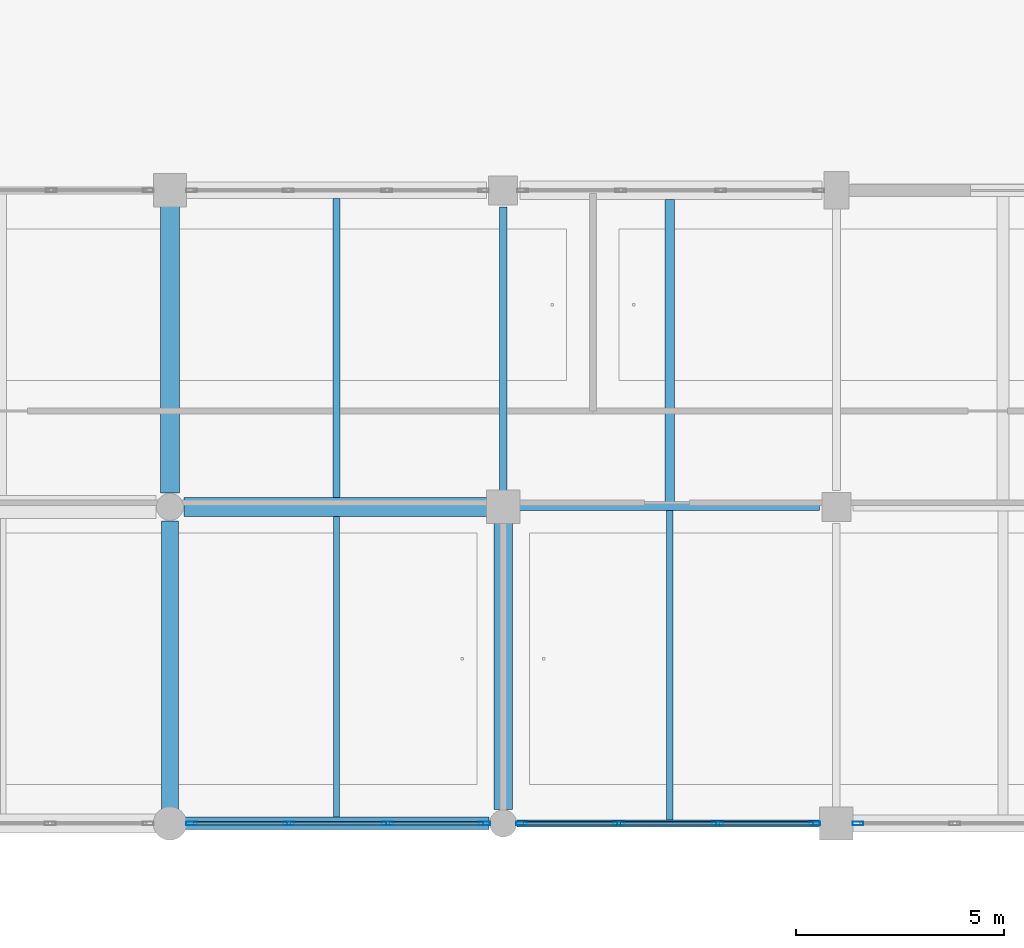
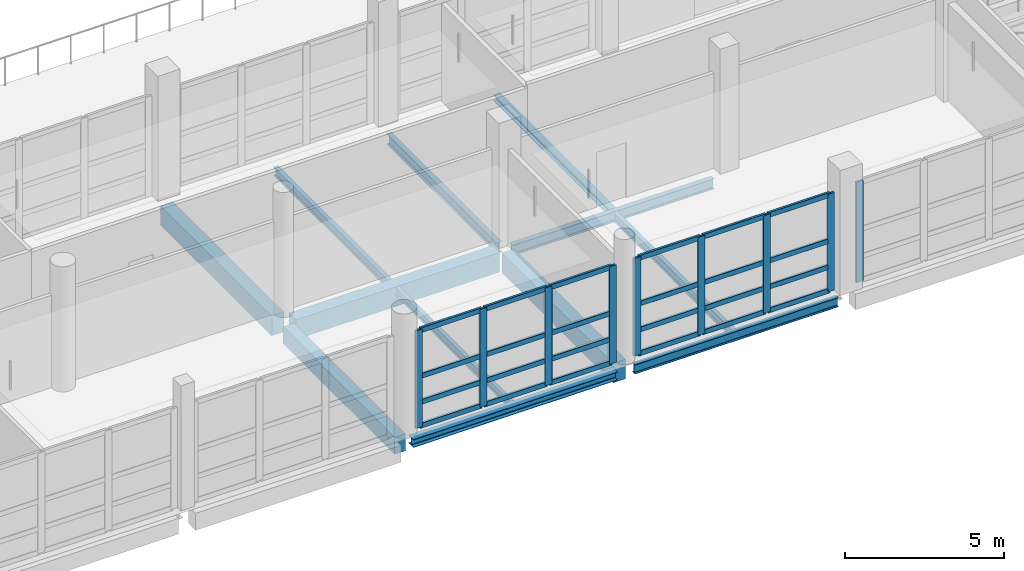
# One storey, part 29 of 147: 33 members, 12 beams, 3 elements without a shape of their own.
"""IFC4 building model written with IfcOpenShell, lengths in metres."""

from ifc_helpers import new_model, si_unit, direction, frame, origin, origin_2d, place, context, subcontext, project, spatial, rectangle, hollow_rectangle, i_section, extrude, material, material_profile, profile_set, type_object, element, aggregate, save


model = new_model("IFC4")

# Units and contexts
model_context = context("Model", 3, precision=1e-05, world=origin(), true_north=direction((0.0, 1.0)))
body_context = subcontext(model_context, "Body", "Model", "MODEL_VIEW")
ifc_project = project(units=[si_unit("LENGTHUNIT", "METRE"), si_unit("AREAUNIT", "SQUARE_METRE"), si_unit("VOLUMEUNIT", "CUBIC_METRE"), si_unit("PLANEANGLEUNIT", "RADIAN"), si_unit("MASSUNIT", "GRAM", prefix="KILO")], contexts=[model_context])

# Site, building, storey
site_placement = place(None, origin())
site = spatial("IfcSite", under=ifc_project, at=site_placement, CompositionType="ELEMENT")
building_placement = place(site_placement, origin())
building = spatial("IfcBuilding", under=site, at=building_placement, Name="Khelvaren Railside Concert Hall", CompositionType="ELEMENT")
storey_placement = place(building_placement, frame((0.0, 0.0, 5.39990234375)))
storey = spatial("IfcBuildingStorey", under=building, at=storey_placement, Name="L01", CompositionType="ELEMENT", Elevation=5.39990234375)

# Beams
ifc_material_1 = material(Name="Steel S355", Category="steel")
ifc_material_profile_1 = material_profile(ifc_material_1, i_section(OverallWidth=0.179931640625, OverallDepth=0.39990234375, WebThickness=0.008544921875, FlangeThickness=0.013427734375, FilletRadius=0.02099609375, at=origin_2d()), Name="IPE 400")
ifc_profile_set_1 = profile_set([ifc_material_profile_1], Name="Steel S355")
beam_type_1 = type_object("IfcBeamType", Name="BM29", PredefinedType="BEAM", material=ifc_profile_set_1)
beam_1_placement = place(storey_placement, frame((104.27294921875, 7.60009765625, -0.5), z_axis=(1.0, 0.0, 0.0), x_axis=(0.0, 1.0, 0.0)))
element("IfcBeam", 1, at=beam_1_placement, inside=storey, type_object=beam_type_1, Name="V3 L01 Beam X2.6", PredefinedType="BEAM", context=body_context, shape_type="SweptSolid", body=[
    extrude(i_section(OverallWidth=0.179931640625, OverallDepth=0.39990234375, WebThickness=0.008544921875, FlangeThickness=0.013427734375, FilletRadius=0.02099609375, at=origin_2d()), origin(), (0.0, 0.0, 1.0), 7.3271484375),
])
beam_2_placement = place(storey_placement, frame((104.0, 7.873046875, -0.5), z_axis=(0.0, 1.0, 0.0), x_axis=(-1.0, 0.0, 0.0)))
element("IfcBeam", 2, at=beam_2_placement, inside=storey, type_object=beam_type_1, Name="V3 L01 Beam Y6.2", PredefinedType="BEAM", context=body_context, shape_type="SweptSolid", body=[
    extrude(i_section(OverallWidth=0.179931640625, OverallDepth=0.39990234375, WebThickness=0.008544921875, FlangeThickness=0.013427734375, FilletRadius=0.02099609375, at=origin_2d()), origin(), (0.0, 0.0, 1.0), 6.927001953125),
])
ifc_material_2 = material(Name="Concrete C40/50", Category="concrete")
ifc_material_profile_2 = material_profile(ifc_material_2, rectangle(XDim=0.39990234375, YDim=0.64990234375, at=origin_2d()), Name="RCB 400x650")
ifc_profile_set_2 = profile_set([ifc_material_profile_2], Name="Concrete C40/50")
beam_type_2 = type_object("IfcBeamType", Name="BM33", PredefinedType="BEAM", material=ifc_profile_set_2)
beam_3_placement = place(storey_placement, frame((96.0, 0.25, -0.625), z_axis=(0.0, 1.0, 0.0), x_axis=(-1.0, 0.0, 0.0)))
element("IfcBeam", 3, at=beam_3_placement, inside=storey, type_object=beam_type_2, Name="V3 L01 Beam Y5.1", PredefinedType="BEAM", context=body_context, shape_type="SweptSolid", body=[
    extrude(rectangle(XDim=0.39990234375, YDim=0.64990234375, at=origin_2d()), origin(), (0.0, 0.0, 1.0), 7.013916015625),
])
ifc_material_profile_3 = material_profile(ifc_material_2, rectangle(XDim=0.449951171875, YDim=0.75, at=origin_2d()), Name="RCB 450x750")
ifc_profile_set_3 = profile_set([ifc_material_profile_3], Name="Concrete C40/50")
beam_type_3 = type_object("IfcBeamType", Name="BM83", PredefinedType="BEAM", material=ifc_profile_set_3)
beam_4_placement = place(storey_placement, frame((96.3359375, 7.60009765625, -0.6748046875), z_axis=(1.0, 0.0, 0.0), x_axis=(0.0, 1.0, 0.0)))
element("IfcBeam", 4, at=beam_4_placement, inside=storey, type_object=beam_type_3, Name="V3 L01 Beam X2.5", PredefinedType="BEAM", context=body_context, shape_type="SweptSolid", body=[
    extrude(rectangle(XDim=0.449951171875, YDim=0.75, at=origin_2d()), origin(), (0.0, 0.0, 1.0), 7.39111328125),
])
for number, where, z_axis, x_axis, name in (
    (5, (96.0, 7.93603515625, -0.6748046875), (0.0, 1.0, 0.0), (-1.0, 0.0, 0.0), "V3 L01 Beam Y5.2"),
    (6, (104.0, 0.3359375, -0.6748046875), (0.0, 1.0, 0.0), (-1.0, 0.0, 0.0), "V3 L01 Beam Y6.1"),
):
    element("IfcBeam", number, at=place(storey_placement, frame(where, z_axis=z_axis, x_axis=x_axis)), inside=storey, type_object=beam_type_3, Name=name, PredefinedType="BEAM", context=body_context, shape_type="SweptSolid", body=[
        extrude(rectangle(XDim=0.449951171875, YDim=0.75, at=origin_2d()), origin(), (0.0, 0.0, 1.0), 6.990966796875),
    ])

# Curtain wall, members
ifc_material_3 = material(Name="Acoustic laminated crystal facade glass", Category="glass")
curtain_wall_type_1 = type_object("IfcCurtainWallType", Name="CW15", PredefinedType="USERDEFINED", material=ifc_material_3)
curtain_wall_1_placement = place(storey_placement, origin())
curtain_wall_1 = element("IfcCurtainWall", 7, at=curtain_wall_1_placement, inside=storey, type_object=curtain_wall_type_1, Name="Unitised Curtain Wall CW-V3-L01-S-96", ObjectType="UNITISED CURTAIN WALL", PredefinedType="USERDEFINED")
ifc_material_4 = material(Name="Anodised architectural aluminium 6063-T6", Category="aluminium")
ifc_material_profile_4 = material_profile(ifc_material_4, hollow_rectangle(XDim=0.0849609375, YDim=0.260009765625, WallThickness=0.0048828125, InnerFilletRadius=0.0029296875, OuterFilletRadius=0.0048828125, at=origin_2d()), Name="CWM 85x260x5")
ifc_profile_set_4 = profile_set([ifc_material_profile_4], Name="Anodised architectural aluminium 6063-T6")
member_type_1 = type_object("IfcMemberType", Name="CWM40", PredefinedType="MULLION", material=ifc_profile_set_4)
member_1_placement = place(storey_placement, frame((103.554931640625, 0.0, 0.0), z_axis=(0.0, 0.0, 1.0), x_axis=(0.0, -1.0, 0.0)))
member_1 = element("IfcMember", 8, at=member_1_placement, type_object=member_type_1, Name="CW15 mullion 1", PredefinedType="MULLION", context=body_context, shape_type="SweptSolid", body=[
    extrude(hollow_rectangle(XDim=0.0849609375, YDim=0.260009765625, WallThickness=0.0048828125, InnerFilletRadius=0.0029296875, OuterFilletRadius=0.0048828125, at=origin_2d()), origin(), (0.0, 0.0, 1.0), 3.75),
])
member_2_placement = place(storey_placement, frame((101.22412109375, 0.0, 0.0), z_axis=(0.0, 0.0, 1.0), x_axis=(0.0, -1.0, 0.0)))
member_2 = element("IfcMember", 9, at=member_2_placement, type_object=member_type_1, Name="CW15 mullion 2", PredefinedType="MULLION", context=body_context, shape_type="SweptSolid", body=[
    extrude(hollow_rectangle(XDim=0.0849609375, YDim=0.260009765625, WallThickness=0.0048828125, InnerFilletRadius=0.0029296875, OuterFilletRadius=0.0048828125, at=origin_2d()), origin(), (0.0, 0.0, 1.0), 3.75),
])
member_3_placement = place(storey_placement, frame((98.850830078125, 0.0, 0.0), z_axis=(0.0, 0.0, 1.0), x_axis=(0.0, -1.0, 0.0)))
member_3 = element("IfcMember", 10, at=member_3_placement, type_object=member_type_1, Name="CW15 mullion 3", PredefinedType="MULLION", context=body_context, shape_type="SweptSolid", body=[
    extrude(hollow_rectangle(XDim=0.0849609375, YDim=0.260009765625, WallThickness=0.0048828125, InnerFilletRadius=0.0029296875, OuterFilletRadius=0.0048828125, at=origin_2d()), origin(), (0.0, 0.0, 1.0), 3.75),
])
member_4_placement = place(storey_placement, frame((96.52001953125, 0.0, 0.0), z_axis=(0.0, 0.0, 1.0), x_axis=(0.0, -1.0, 0.0)))
member_4 = element("IfcMember", 11, at=member_4_placement, type_object=member_type_1, Name="CW15 mullion 4", PredefinedType="MULLION", context=body_context, shape_type="SweptSolid", body=[
    extrude(hollow_rectangle(XDim=0.0849609375, YDim=0.260009765625, WallThickness=0.0048828125, InnerFilletRadius=0.0029296875, OuterFilletRadius=0.0048828125, at=origin_2d()), origin(), (0.0, 0.0, 1.0), 3.75),
])

curtain_wall_type_2 = type_object("IfcCurtainWallType", Name="CW54", PredefinedType="USERDEFINED", material=ifc_material_3)
curtain_wall_2_placement = place(storey_placement, origin())
curtain_wall_2 = element("IfcCurtainWall", 12, at=curtain_wall_2_placement, inside=storey, type_object=curtain_wall_type_2, Name="Unitised Curtain Wall CW-V3-L01-S-104", ObjectType="UNITISED CURTAIN WALL", PredefinedType="USERDEFINED")
member_5_placement = place(storey_placement, frame((111.47998046875, 0.0, 0.0), z_axis=(0.0, 0.0, 1.0), x_axis=(0.0, -1.0, 0.0)))
member_5 = element("IfcMember", 13, at=member_5_placement, type_object=member_type_1, Name="CW54 mullion 1", PredefinedType="MULLION", context=body_context, shape_type="SweptSolid", body=[
    extrude(hollow_rectangle(XDim=0.0849609375, YDim=0.260009765625, WallThickness=0.0048828125, InnerFilletRadius=0.0029296875, OuterFilletRadius=0.0048828125, at=origin_2d()), origin(), (0.0, 0.0, 1.0), 3.75),
])
member_6_placement = place(storey_placement, frame((109.149169921875, 0.0, 0.0), z_axis=(0.0, 0.0, 1.0), x_axis=(0.0, -1.0, 0.0)))
member_6 = element("IfcMember", 14, at=member_6_placement, type_object=member_type_1, Name="CW54 mullion 2", PredefinedType="MULLION", context=body_context, shape_type="SweptSolid", body=[
    extrude(hollow_rectangle(XDim=0.0849609375, YDim=0.260009765625, WallThickness=0.0048828125, InnerFilletRadius=0.0029296875, OuterFilletRadius=0.0048828125, at=origin_2d()), origin(), (0.0, 0.0, 1.0), 3.75),
])
member_7_placement = place(storey_placement, frame((106.77587890625, 0.0, 0.0), z_axis=(0.0, 0.0, 1.0), x_axis=(0.0, -1.0, 0.0)))
member_7 = element("IfcMember", 15, at=member_7_placement, type_object=member_type_1, Name="CW54 mullion 3", PredefinedType="MULLION", context=body_context, shape_type="SweptSolid", body=[
    extrude(hollow_rectangle(XDim=0.0849609375, YDim=0.260009765625, WallThickness=0.0048828125, InnerFilletRadius=0.0029296875, OuterFilletRadius=0.0048828125, at=origin_2d()), origin(), (0.0, 0.0, 1.0), 3.75),
])
member_8_placement = place(storey_placement, frame((104.445068359375, 0.0, 0.0), z_axis=(0.0, 0.0, 1.0), x_axis=(0.0, -1.0, 0.0)))
member_8 = element("IfcMember", 16, at=member_8_placement, type_object=member_type_1, Name="CW54 mullion 4", PredefinedType="MULLION", context=body_context, shape_type="SweptSolid", body=[
    extrude(hollow_rectangle(XDim=0.0849609375, YDim=0.260009765625, WallThickness=0.0048828125, InnerFilletRadius=0.0029296875, OuterFilletRadius=0.0048828125, at=origin_2d()), origin(), (0.0, 0.0, 1.0), 3.75),
])

# Curtain wall, member
curtain_wall_type_3 = type_object("IfcCurtainWallType", Name="CW66", PredefinedType="USERDEFINED", material=ifc_material_3)
curtain_wall_3_placement = place(storey_placement, origin())
curtain_wall_3 = element("IfcCurtainWall", 17, at=curtain_wall_3_placement, inside=storey, type_object=curtain_wall_type_3, Name="Unitised Curtain Wall CW-V3-L01-S-112", ObjectType="UNITISED CURTAIN WALL", PredefinedType="USERDEFINED")
member_9_placement = place(storey_placement, frame((112.52001953125, 0.0, 0.0), z_axis=(0.0, 0.0, 1.0), x_axis=(0.0, -1.0, 0.0)))
member_9 = element("IfcMember", 18, at=member_9_placement, type_object=member_type_1, Name="CW66 mullion 4", PredefinedType="MULLION", context=body_context, shape_type="SweptSolid", body=[
    extrude(hollow_rectangle(XDim=0.0849609375, YDim=0.260009765625, WallThickness=0.0048828125, InnerFilletRadius=0.0029296875, OuterFilletRadius=0.0048828125, at=origin_2d()), origin(), (0.0, 0.0, 1.0), 3.85009765625),
])
aggregate(curtain_wall_3, [member_9])

# Member
ifc_material_profile_5 = material_profile(ifc_material_4, hollow_rectangle(XDim=0.0849609375, YDim=0.18994140625, WallThickness=0.0048828125, InnerFilletRadius=0.0029296875, OuterFilletRadius=0.0048828125, at=origin_2d()), Name="CWT 85x190x5")
ifc_profile_set_5 = profile_set([ifc_material_profile_5], Name="Anodised architectural aluminium 6063-T6")
member_type_2 = type_object("IfcMemberType", Name="CWT31", PredefinedType="USERDEFINED", material=ifc_profile_set_5)
member_10_placement = place(storey_placement, frame((103.512451171875, 0.0, 0.04248046875), z_axis=(-1.0, 0.0, 0.0), x_axis=(0.0, -1.0, 0.0)))
member_10 = element("IfcMember", 19, at=member_10_placement, type_object=member_type_2, Name="CW15 transom 1.1", ObjectType="TRANSOM", PredefinedType="USERDEFINED", context=body_context, shape_type="SweptSolid", body=[
    extrude(hollow_rectangle(XDim=0.0849609375, YDim=0.18994140625, WallThickness=0.0048828125, InnerFilletRadius=0.0029296875, OuterFilletRadius=0.0048828125, at=origin_2d()), origin(), (0.0, 0.0, 1.0), 2.245849609375),
])

member_11_placement = place(storey_placement, frame((103.512451171875, 0.0, 0.9501953125), z_axis=(-1.0, 0.0, 0.0), x_axis=(0.0, -1.0, 0.0)))
member_11 = element("IfcMember", 20, at=member_11_placement, type_object=member_type_2, Name="CW15 transom 1.2", ObjectType="TRANSOM", PredefinedType="USERDEFINED", context=body_context, shape_type="SweptSolid", body=[
    extrude(hollow_rectangle(XDim=0.0849609375, YDim=0.18994140625, WallThickness=0.0048828125, InnerFilletRadius=0.0029296875, OuterFilletRadius=0.0048828125, at=origin_2d()), origin(), (0.0, 0.0, 1.0), 2.245849609375),
])

member_12_placement = place(storey_placement, frame((103.512451171875, 0.0, 1.9501953125), z_axis=(-1.0, 0.0, 0.0), x_axis=(0.0, -1.0, 0.0)))
member_12 = element("IfcMember", 21, at=member_12_placement, type_object=member_type_2, Name="CW15 transom 1.3", ObjectType="TRANSOM", PredefinedType="USERDEFINED", context=body_context, shape_type="SweptSolid", body=[
    extrude(hollow_rectangle(XDim=0.0849609375, YDim=0.18994140625, WallThickness=0.0048828125, InnerFilletRadius=0.0029296875, OuterFilletRadius=0.0048828125, at=origin_2d()), origin(), (0.0, 0.0, 1.0), 2.245849609375),
])

member_13_placement = place(storey_placement, frame((103.512451171875, 0.0, 3.70751953125), z_axis=(-1.0, 0.0, 0.0), x_axis=(0.0, -1.0, 0.0)))
member_13 = element("IfcMember", 22, at=member_13_placement, type_object=member_type_2, Name="CW15 transom 1.4", ObjectType="TRANSOM", PredefinedType="USERDEFINED", context=body_context, shape_type="SweptSolid", body=[
    extrude(hollow_rectangle(XDim=0.0849609375, YDim=0.18994140625, WallThickness=0.0048828125, InnerFilletRadius=0.0029296875, OuterFilletRadius=0.0048828125, at=origin_2d()), origin(), (0.0, 0.0, 1.0), 2.245849609375),
])

member_14_placement = place(storey_placement, frame((101.181640625, 0.0, 0.04248046875), z_axis=(-1.0, 0.0, 0.0), x_axis=(0.0, -1.0, 0.0)))
member_14 = element("IfcMember", 23, at=member_14_placement, type_object=member_type_2, Name="CW15 transom 2.1", ObjectType="TRANSOM", PredefinedType="USERDEFINED", context=body_context, shape_type="SweptSolid", body=[
    extrude(hollow_rectangle(XDim=0.0849609375, YDim=0.18994140625, WallThickness=0.0048828125, InnerFilletRadius=0.0029296875, OuterFilletRadius=0.0048828125, at=origin_2d()), origin(), (0.0, 0.0, 1.0), 2.288330078125),
])

member_15_placement = place(storey_placement, frame((101.181640625, 0.0, 0.9501953125), z_axis=(-1.0, 0.0, 0.0), x_axis=(0.0, -1.0, 0.0)))
member_15 = element("IfcMember", 24, at=member_15_placement, type_object=member_type_2, Name="CW15 transom 2.2", ObjectType="TRANSOM", PredefinedType="USERDEFINED", context=body_context, shape_type="SweptSolid", body=[
    extrude(hollow_rectangle(XDim=0.0849609375, YDim=0.18994140625, WallThickness=0.0048828125, InnerFilletRadius=0.0029296875, OuterFilletRadius=0.0048828125, at=origin_2d()), origin(), (0.0, 0.0, 1.0), 2.288330078125),
])

member_16_placement = place(storey_placement, frame((101.181640625, 0.0, 1.9501953125), z_axis=(-1.0, 0.0, 0.0), x_axis=(0.0, -1.0, 0.0)))
member_16 = element("IfcMember", 25, at=member_16_placement, type_object=member_type_2, Name="CW15 transom 2.3", ObjectType="TRANSOM", PredefinedType="USERDEFINED", context=body_context, shape_type="SweptSolid", body=[
    extrude(hollow_rectangle(XDim=0.0849609375, YDim=0.18994140625, WallThickness=0.0048828125, InnerFilletRadius=0.0029296875, OuterFilletRadius=0.0048828125, at=origin_2d()), origin(), (0.0, 0.0, 1.0), 2.288330078125),
])

member_17_placement = place(storey_placement, frame((101.181640625, 0.0, 3.70751953125), z_axis=(-1.0, 0.0, 0.0), x_axis=(0.0, -1.0, 0.0)))
member_17 = element("IfcMember", 26, at=member_17_placement, type_object=member_type_2, Name="CW15 transom 2.4", ObjectType="TRANSOM", PredefinedType="USERDEFINED", context=body_context, shape_type="SweptSolid", body=[
    extrude(hollow_rectangle(XDim=0.0849609375, YDim=0.18994140625, WallThickness=0.0048828125, InnerFilletRadius=0.0029296875, OuterFilletRadius=0.0048828125, at=origin_2d()), origin(), (0.0, 0.0, 1.0), 2.288330078125),
])

member_18_placement = place(storey_placement, frame((98.808349609375, 0.0, 0.04248046875), z_axis=(-1.0, 0.0, 0.0), x_axis=(0.0, -1.0, 0.0)))
member_18 = element("IfcMember", 27, at=member_18_placement, type_object=member_type_2, Name="CW15 transom 3.1", ObjectType="TRANSOM", PredefinedType="USERDEFINED", context=body_context, shape_type="SweptSolid", body=[
    extrude(hollow_rectangle(XDim=0.0849609375, YDim=0.18994140625, WallThickness=0.0048828125, InnerFilletRadius=0.0029296875, OuterFilletRadius=0.0048828125, at=origin_2d()), origin(), (0.0, 0.0, 1.0), 2.245849609375),
])

member_19_placement = place(storey_placement, frame((98.808349609375, 0.0, 0.9501953125), z_axis=(-1.0, 0.0, 0.0), x_axis=(0.0, -1.0, 0.0)))
member_19 = element("IfcMember", 28, at=member_19_placement, type_object=member_type_2, Name="CW15 transom 3.2", ObjectType="TRANSOM", PredefinedType="USERDEFINED", context=body_context, shape_type="SweptSolid", body=[
    extrude(hollow_rectangle(XDim=0.0849609375, YDim=0.18994140625, WallThickness=0.0048828125, InnerFilletRadius=0.0029296875, OuterFilletRadius=0.0048828125, at=origin_2d()), origin(), (0.0, 0.0, 1.0), 2.245849609375),
])

member_20_placement = place(storey_placement, frame((98.808349609375, 0.0, 1.9501953125), z_axis=(-1.0, 0.0, 0.0), x_axis=(0.0, -1.0, 0.0)))
member_20 = element("IfcMember", 29, at=member_20_placement, type_object=member_type_2, Name="CW15 transom 3.3", ObjectType="TRANSOM", PredefinedType="USERDEFINED", context=body_context, shape_type="SweptSolid", body=[
    extrude(hollow_rectangle(XDim=0.0849609375, YDim=0.18994140625, WallThickness=0.0048828125, InnerFilletRadius=0.0029296875, OuterFilletRadius=0.0048828125, at=origin_2d()), origin(), (0.0, 0.0, 1.0), 2.245849609375),
])

member_21_placement = place(storey_placement, frame((98.808349609375, 0.0, 3.70751953125), z_axis=(-1.0, 0.0, 0.0), x_axis=(0.0, -1.0, 0.0)))
member_21 = element("IfcMember", 30, at=member_21_placement, type_object=member_type_2, Name="CW15 transom 3.4", ObjectType="TRANSOM", PredefinedType="USERDEFINED", context=body_context, shape_type="SweptSolid", body=[
    extrude(hollow_rectangle(XDim=0.0849609375, YDim=0.18994140625, WallThickness=0.0048828125, InnerFilletRadius=0.0029296875, OuterFilletRadius=0.0048828125, at=origin_2d()), origin(), (0.0, 0.0, 1.0), 2.245849609375),
])

aggregate(curtain_wall_1, [member_1, member_2, member_3, member_4, member_10, member_11, member_12, member_13, member_14, member_15, member_16, member_17, member_18, member_19, member_20, member_21])

member_22_placement = place(storey_placement, frame((111.4375, 0.0, 0.04248046875), z_axis=(-1.0, 0.0, 0.0), x_axis=(0.0, -1.0, 0.0)))
member_22 = element("IfcMember", 31, at=member_22_placement, type_object=member_type_2, Name="CW54 transom 1.1", ObjectType="TRANSOM", PredefinedType="USERDEFINED", context=body_context, shape_type="SweptSolid", body=[
    extrude(hollow_rectangle(XDim=0.0849609375, YDim=0.18994140625, WallThickness=0.0048828125, InnerFilletRadius=0.0029296875, OuterFilletRadius=0.0048828125, at=origin_2d()), origin(), (0.0, 0.0, 1.0), 2.245849609375),
])

member_23_placement = place(storey_placement, frame((111.4375, 0.0, 0.9501953125), z_axis=(-1.0, 0.0, 0.0), x_axis=(0.0, -1.0, 0.0)))
member_23 = element("IfcMember", 32, at=member_23_placement, type_object=member_type_2, Name="CW54 transom 1.2", ObjectType="TRANSOM", PredefinedType="USERDEFINED", context=body_context, shape_type="SweptSolid", body=[
    extrude(hollow_rectangle(XDim=0.0849609375, YDim=0.18994140625, WallThickness=0.0048828125, InnerFilletRadius=0.0029296875, OuterFilletRadius=0.0048828125, at=origin_2d()), origin(), (0.0, 0.0, 1.0), 2.245849609375),
])

member_24_placement = place(storey_placement, frame((111.4375, 0.0, 1.9501953125), z_axis=(-1.0, 0.0, 0.0), x_axis=(0.0, -1.0, 0.0)))
member_24 = element("IfcMember", 33, at=member_24_placement, type_object=member_type_2, Name="CW54 transom 1.3", ObjectType="TRANSOM", PredefinedType="USERDEFINED", context=body_context, shape_type="SweptSolid", body=[
    extrude(hollow_rectangle(XDim=0.0849609375, YDim=0.18994140625, WallThickness=0.0048828125, InnerFilletRadius=0.0029296875, OuterFilletRadius=0.0048828125, at=origin_2d()), origin(), (0.0, 0.0, 1.0), 2.245849609375),
])

member_25_placement = place(storey_placement, frame((111.4375, 0.0, 3.70751953125), z_axis=(-1.0, 0.0, 0.0), x_axis=(0.0, -1.0, 0.0)))
member_25 = element("IfcMember", 34, at=member_25_placement, type_object=member_type_2, Name="CW54 transom 1.4", ObjectType="TRANSOM", PredefinedType="USERDEFINED", context=body_context, shape_type="SweptSolid", body=[
    extrude(hollow_rectangle(XDim=0.0849609375, YDim=0.18994140625, WallThickness=0.0048828125, InnerFilletRadius=0.0029296875, OuterFilletRadius=0.0048828125, at=origin_2d()), origin(), (0.0, 0.0, 1.0), 2.245849609375),
])

member_26_placement = place(storey_placement, frame((109.106689453125, 0.0, 0.04248046875), z_axis=(-1.0, 0.0, 0.0), x_axis=(0.0, -1.0, 0.0)))
member_26 = element("IfcMember", 35, at=member_26_placement, type_object=member_type_2, Name="CW54 transom 2.1", ObjectType="TRANSOM", PredefinedType="USERDEFINED", context=body_context, shape_type="SweptSolid", body=[
    extrude(hollow_rectangle(XDim=0.0849609375, YDim=0.18994140625, WallThickness=0.0048828125, InnerFilletRadius=0.0029296875, OuterFilletRadius=0.0048828125, at=origin_2d()), origin(), (0.0, 0.0, 1.0), 2.288330078125),
])

member_27_placement = place(storey_placement, frame((109.106689453125, 0.0, 0.9501953125), z_axis=(-1.0, 0.0, 0.0), x_axis=(0.0, -1.0, 0.0)))
member_27 = element("IfcMember", 36, at=member_27_placement, type_object=member_type_2, Name="CW54 transom 2.2", ObjectType="TRANSOM", PredefinedType="USERDEFINED", context=body_context, shape_type="SweptSolid", body=[
    extrude(hollow_rectangle(XDim=0.0849609375, YDim=0.18994140625, WallThickness=0.0048828125, InnerFilletRadius=0.0029296875, OuterFilletRadius=0.0048828125, at=origin_2d()), origin(), (0.0, 0.0, 1.0), 2.288330078125),
])

member_28_placement = place(storey_placement, frame((109.106689453125, 0.0, 1.9501953125), z_axis=(-1.0, 0.0, 0.0), x_axis=(0.0, -1.0, 0.0)))
member_28 = element("IfcMember", 37, at=member_28_placement, type_object=member_type_2, Name="CW54 transom 2.3", ObjectType="TRANSOM", PredefinedType="USERDEFINED", context=body_context, shape_type="SweptSolid", body=[
    extrude(hollow_rectangle(XDim=0.0849609375, YDim=0.18994140625, WallThickness=0.0048828125, InnerFilletRadius=0.0029296875, OuterFilletRadius=0.0048828125, at=origin_2d()), origin(), (0.0, 0.0, 1.0), 2.288330078125),
])

member_29_placement = place(storey_placement, frame((109.106689453125, 0.0, 3.70751953125), z_axis=(-1.0, 0.0, 0.0), x_axis=(0.0, -1.0, 0.0)))
member_29 = element("IfcMember", 38, at=member_29_placement, type_object=member_type_2, Name="CW54 transom 2.4", ObjectType="TRANSOM", PredefinedType="USERDEFINED", context=body_context, shape_type="SweptSolid", body=[
    extrude(hollow_rectangle(XDim=0.0849609375, YDim=0.18994140625, WallThickness=0.0048828125, InnerFilletRadius=0.0029296875, OuterFilletRadius=0.0048828125, at=origin_2d()), origin(), (0.0, 0.0, 1.0), 2.288330078125),
])

member_30_placement = place(storey_placement, frame((106.7333984375, 0.0, 0.04248046875), z_axis=(-1.0, 0.0, 0.0), x_axis=(0.0, -1.0, 0.0)))
member_30 = element("IfcMember", 39, at=member_30_placement, type_object=member_type_2, Name="CW54 transom 3.1", ObjectType="TRANSOM", PredefinedType="USERDEFINED", context=body_context, shape_type="SweptSolid", body=[
    extrude(hollow_rectangle(XDim=0.0849609375, YDim=0.18994140625, WallThickness=0.0048828125, InnerFilletRadius=0.0029296875, OuterFilletRadius=0.0048828125, at=origin_2d()), origin(), (0.0, 0.0, 1.0), 2.245849609375),
])

member_31_placement = place(storey_placement, frame((106.7333984375, 0.0, 0.9501953125), z_axis=(-1.0, 0.0, 0.0), x_axis=(0.0, -1.0, 0.0)))
member_31 = element("IfcMember", 40, at=member_31_placement, type_object=member_type_2, Name="CW54 transom 3.2", ObjectType="TRANSOM", PredefinedType="USERDEFINED", context=body_context, shape_type="SweptSolid", body=[
    extrude(hollow_rectangle(XDim=0.0849609375, YDim=0.18994140625, WallThickness=0.0048828125, InnerFilletRadius=0.0029296875, OuterFilletRadius=0.0048828125, at=origin_2d()), origin(), (0.0, 0.0, 1.0), 2.245849609375),
])

member_32_placement = place(storey_placement, frame((106.7333984375, 0.0, 1.9501953125), z_axis=(-1.0, 0.0, 0.0), x_axis=(0.0, -1.0, 0.0)))
member_32 = element("IfcMember", 41, at=member_32_placement, type_object=member_type_2, Name="CW54 transom 3.3", ObjectType="TRANSOM", PredefinedType="USERDEFINED", context=body_context, shape_type="SweptSolid", body=[
    extrude(hollow_rectangle(XDim=0.0849609375, YDim=0.18994140625, WallThickness=0.0048828125, InnerFilletRadius=0.0029296875, OuterFilletRadius=0.0048828125, at=origin_2d()), origin(), (0.0, 0.0, 1.0), 2.245849609375),
])

member_33_placement = place(storey_placement, frame((106.7333984375, 0.0, 3.70751953125), z_axis=(-1.0, 0.0, 0.0), x_axis=(0.0, -1.0, 0.0)))
member_33 = element("IfcMember", 42, at=member_33_placement, type_object=member_type_2, Name="CW54 transom 3.4", ObjectType="TRANSOM", PredefinedType="USERDEFINED", context=body_context, shape_type="SweptSolid", body=[
    extrude(hollow_rectangle(XDim=0.0849609375, YDim=0.18994140625, WallThickness=0.0048828125, InnerFilletRadius=0.0029296875, OuterFilletRadius=0.0048828125, at=origin_2d()), origin(), (0.0, 0.0, 1.0), 2.245849609375),
])

aggregate(curtain_wall_2, [member_5, member_6, member_7, member_8, member_22, member_23, member_24, member_25, member_26, member_27, member_28, member_29, member_30, member_31, member_32, member_33])

# Beams
ifc_material_profile_6 = material_profile(ifc_material_1, i_section(OverallWidth=0.14990234375, OverallDepth=0.300048828125, WebThickness=0.007080078125, FlangeThickness=0.0107421875, FilletRadius=0.014892578125, at=origin_2d()), Name="IPE 300")
ifc_profile_set_6 = profile_set([ifc_material_profile_6], Name="Steel S355")
beam_type_4 = type_object("IfcBeamType", Name="JS26", PredefinedType="JOIST", material=ifc_profile_set_6)
beam_5_placement = place(storey_placement, frame((100.0, 0.14990234375, -0.449951171875), z_axis=(0.0, 1.0, 0.0), x_axis=(-1.0, 0.0, 0.0)))
element("IfcBeam", 43, at=beam_5_placement, inside=storey, type_object=beam_type_4, Name="V3 L01 Secondary Joist 5.1", PredefinedType="JOIST", context=body_context, shape_type="SweptSolid", body=[
    extrude(i_section(OverallWidth=0.14990234375, OverallDepth=0.300048828125, WebThickness=0.007080078125, FlangeThickness=0.0107421875, FilletRadius=0.014892578125, at=origin_2d()), origin(), (0.0, 0.0, 1.0), 7.22509765625),
])
ifc_material_profile_7 = material_profile(ifc_material_1, i_section(OverallWidth=0.159912109375, OverallDepth=0.330078125, WebThickness=0.007568359375, FlangeThickness=0.011474609375, FilletRadius=0.01806640625, at=origin_2d()), Name="IPE 330")
ifc_profile_set_7 = profile_set([ifc_material_profile_7], Name="Steel S355")
beam_type_5 = type_object("IfcBeamType", Name="JS65", PredefinedType="JOIST", material=ifc_profile_set_7)
beam_6_placement = place(storey_placement, frame((100.0, 7.824951171875, -0.46484375), z_axis=(0.0, 1.0, 0.0), x_axis=(-1.0, 0.0, 0.0)))
element("IfcBeam", 44, at=beam_6_placement, inside=storey, type_object=beam_type_5, Name="V3 L01 Secondary Joist 5.2", PredefinedType="JOIST", context=body_context, shape_type="SweptSolid", body=[
    extrude(i_section(OverallWidth=0.159912109375, OverallDepth=0.330078125, WebThickness=0.007568359375, FlangeThickness=0.011474609375, FilletRadius=0.01806640625, at=origin_2d()), origin(), (0.0, 0.0, 1.0), 7.175048828125),
])
beam_7_placement = place(storey_placement, frame((108.0, 0.0849609375, -0.46484375), z_axis=(0.0, 1.0, 0.0), x_axis=(-1.0, 0.0, 0.0)))
element("IfcBeam", 45, at=beam_7_placement, inside=storey, type_object=beam_type_5, Name="V3 L01 Secondary Joist 6.1", PredefinedType="JOIST", context=body_context, shape_type="SweptSolid", body=[
    extrude(i_section(OverallWidth=0.159912109375, OverallDepth=0.330078125, WebThickness=0.007568359375, FlangeThickness=0.011474609375, FilletRadius=0.01806640625, at=origin_2d()), origin(), (0.0, 0.0, 1.0), 7.425048828125),
])
ifc_material_profile_8 = material_profile(ifc_material_1, i_section(OverallWidth=0.239990234375, OverallDepth=0.22998046875, WebThickness=0.007568359375, FlangeThickness=0.011962890625, FilletRadius=0.02099609375, at=origin_2d()), Name="HEA 240")
ifc_profile_set_8 = profile_set([ifc_material_profile_8], Name="Steel S355")
beam_type_6 = type_object("IfcBeamType", Name="JS76", PredefinedType="JOIST", material=ifc_profile_set_8)
beam_8_placement = place(storey_placement, frame((108.0, 7.68994140625, -0.414794921875), z_axis=(0.0, 1.0, 0.0), x_axis=(-1.0, 0.0, 0.0)))
element("IfcBeam", 46, at=beam_8_placement, inside=storey, type_object=beam_type_6, Name="V3 L01 Secondary Joist 6.2", PredefinedType="JOIST", context=body_context, shape_type="SweptSolid", body=[
    extrude(i_section(OverallWidth=0.239990234375, OverallDepth=0.22998046875, WebThickness=0.007568359375, FlangeThickness=0.011962890625, FilletRadius=0.02099609375, at=origin_2d()), origin(), (0.0, 0.0, 1.0), 7.28515625),
])
ifc_material_profile_9 = material_profile(ifc_material_1, i_section(OverallWidth=0.300048828125, OverallDepth=0.31005859375, WebThickness=0.009033203125, FlangeThickness=0.015380859375, FilletRadius=0.027099609375, at=origin_2d()), Name="HEA 320")
ifc_profile_set_9 = profile_set([ifc_material_profile_9], Name="Steel S355")
beam_type_7 = type_object("IfcBeamType", Name="SP66", PredefinedType="SPANDREL", material=ifc_profile_set_9)
beam_9_placement = place(storey_placement, frame((96.25, 0.0, -0.454833984375), z_axis=(1.0, 0.0, 0.0), x_axis=(0.0, 1.0, 0.0)))
element("IfcBeam", 47, at=beam_9_placement, inside=storey, type_object=beam_type_7, Name="V3 L01 Spandrel X1.5", PredefinedType="SPANDREL", context=body_context, shape_type="SweptSolid", body=[
    extrude(i_section(OverallWidth=0.300048828125, OverallDepth=0.31005859375, WebThickness=0.009033203125, FlangeThickness=0.015380859375, FilletRadius=0.027099609375, at=origin_2d()), origin(), (0.0, 0.0, 1.0), 7.4140625),
])
ifc_material_profile_10 = material_profile(ifc_material_1, i_section(OverallWidth=0.169921875, OverallDepth=0.360107421875, WebThickness=0.008056640625, FlangeThickness=0.0126953125, FilletRadius=0.01806640625, at=origin_2d()), Name="IPE 360")
ifc_profile_set_10 = profile_set([ifc_material_profile_10], Name="Steel S355")
beam_type_8 = type_object("IfcBeamType", Name="SP74", PredefinedType="SPANDREL", material=ifc_profile_set_10)
beam_10_placement = place(storey_placement, frame((104.3359375, 0.0, -0.47998046875), z_axis=(1.0, 0.0, 0.0), x_axis=(0.0, 1.0, 0.0)))
element("IfcBeam", 48, at=beam_10_placement, inside=storey, type_object=beam_type_8, Name="V3 L01 Spandrel X1.6", PredefinedType="SPANDREL", context=body_context, shape_type="SweptSolid", body=[
    extrude(i_section(OverallWidth=0.169921875, OverallDepth=0.360107421875, WebThickness=0.008056640625, FlangeThickness=0.0126953125, FilletRadius=0.01806640625, at=origin_2d()), origin(), (0.0, 0.0, 1.0), 7.39111328125),
])

save(model, "model.ifc")
